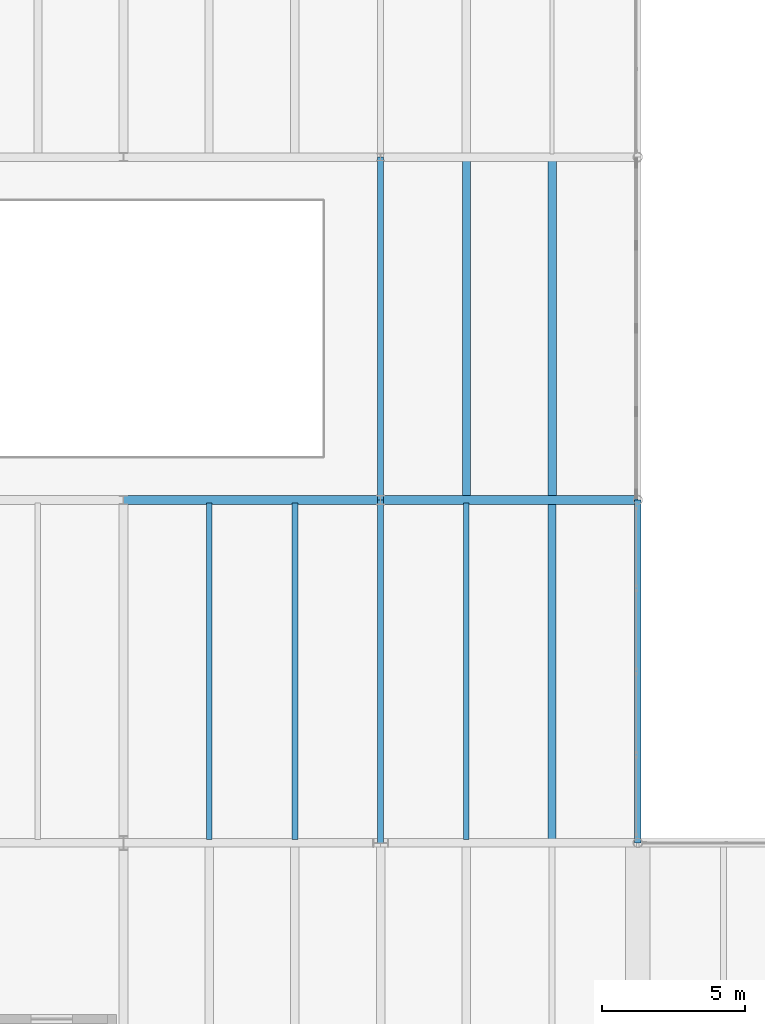
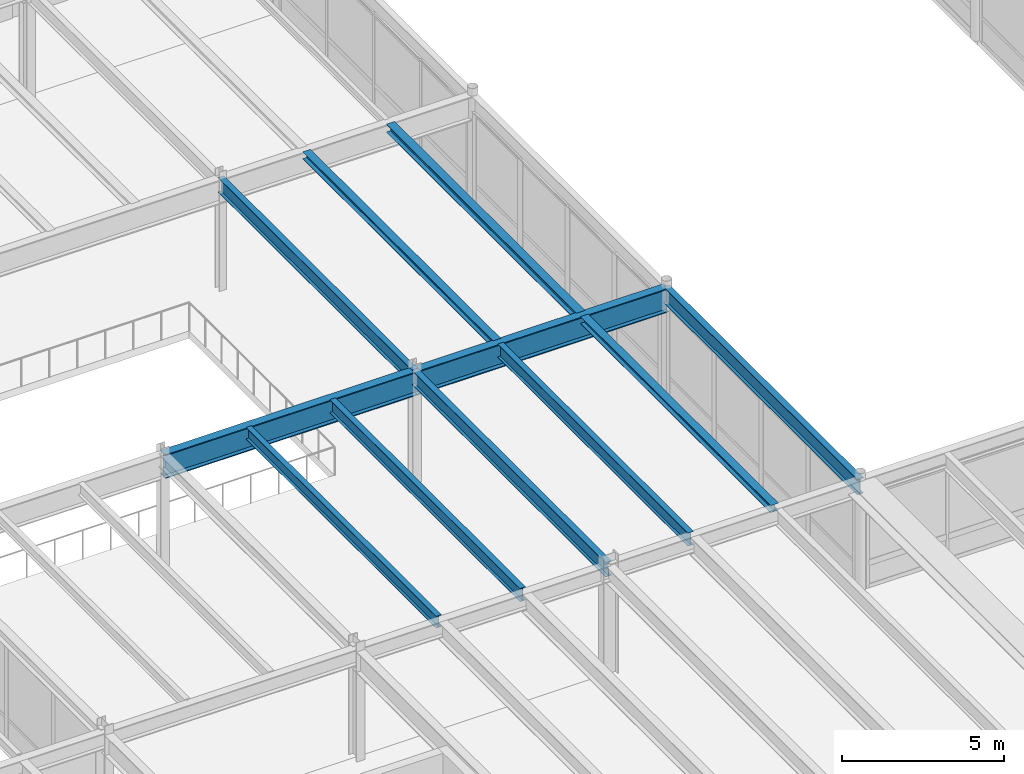
# One storey, part 37 of 127: 11 beams.
"""IFC4 building model written with IfcOpenShell, lengths in metres."""

from ifc_helpers import new_model, si_unit, direction, frame, origin, origin_2d, place, context, subcontext, project, spatial, i_section, extrude, material, material_profile, profile_set, type_object, element, save


model = new_model("IFC4")

# Units and contexts
model_context = context("Model", 3, precision=1e-05, world=origin(), true_north=direction((0.0, 1.0)))
body_context = subcontext(model_context, "Body", "Model", "MODEL_VIEW")
ifc_project = project(units=[si_unit("LENGTHUNIT", "METRE"), si_unit("AREAUNIT", "SQUARE_METRE"), si_unit("VOLUMEUNIT", "CUBIC_METRE"), si_unit("PLANEANGLEUNIT", "RADIAN"), si_unit("MASSUNIT", "GRAM", prefix="KILO")], contexts=[model_context])

# Site, building, storey
site_placement = place(None, origin())
site = spatial("IfcSite", under=ifc_project, at=site_placement, CompositionType="ELEMENT")
building_placement = place(site_placement, origin())
building = spatial("IfcBuilding", under=site, at=building_placement, Name="Montelvaro Courts of Justice", CompositionType="ELEMENT")
storey_placement = place(building_placement, frame((0.0, 0.0, 5.39990234375)))
storey = spatial("IfcBuildingStorey", under=building, at=storey_placement, Name="L01", CompositionType="ELEMENT", Elevation=5.39990234375)

# Beams
ifc_material = material(Name="Steel S355", Category="steel")
ifc_material_profile_1 = material_profile(ifc_material, i_section(OverallWidth=0.280029296875, OverallDepth=0.27001953125, WebThickness=0.008056640625, FlangeThickness=0.012939453125, at=origin_2d()), Name="HEA 280")
ifc_profile_set_1 = profile_set([ifc_material_profile_1], Name="Steel S355")
beam_type_1 = type_object("IfcBeamType", Name="Beam_HEA280", PredefinedType="BEAM", material=ifc_profile_set_1)
for number, where, z_axis, x_axis, name in (
    (1, (78.0, 42.110107421875, 4.085205078125), (0.0, 1.0, 0.0), (-1.0, 0.0, 0.0), "Beam B-14 L01"),
    (2, (75.0, 54.110107421875, 4.085205078125), (0.0, 1.0, 0.0), (-1.0, 0.0, 0.0), "Beam B-14 L01"),
):
    element("IfcBeam", number, at=place(storey_placement, frame(where, z_axis=z_axis, x_axis=x_axis)), inside=storey, type_object=beam_type_1, Name=name, PredefinedType="BEAM", context=body_context, shape_type="SweptSolid", body=[
        extrude(i_section(OverallWidth=0.280029296875, OverallDepth=0.27001953125, WebThickness=0.008056640625, FlangeThickness=0.012939453125, at=origin_2d()), origin(), (0.0, 0.0, 1.0), 11.77978515625),
    ])
ifc_material_profile_2 = material_profile(ifc_material, i_section(OverallWidth=0.300048828125, OverallDepth=0.31005859375, WebThickness=0.009033203125, FlangeThickness=0.015380859375, at=origin_2d()), Name="HEA 320")
ifc_profile_set_2 = profile_set([ifc_material_profile_2], Name="Steel S355")
beam_type_2 = type_object("IfcBeamType", Name="Beam_HEA320", PredefinedType="BEAM", material=ifc_profile_set_2)
beam_1_placement = place(storey_placement, frame((78.0, 54.110107421875, 4.065185546875), z_axis=(0.0, 1.0, 0.0), x_axis=(-1.0, 0.0, 0.0)))
element("IfcBeam", 3, at=beam_1_placement, inside=storey, type_object=beam_type_2, Name="Beam B-15 L01", PredefinedType="BEAM", context=body_context, shape_type="SweptSolid", body=[
    extrude(i_section(OverallWidth=0.300048828125, OverallDepth=0.31005859375, WebThickness=0.009033203125, FlangeThickness=0.015380859375, at=origin_2d()), origin(), (0.0, 0.0, 1.0), 11.77978515625),
])
ifc_material_profile_3 = material_profile(ifc_material, i_section(OverallWidth=0.300048828125, OverallDepth=0.89990234375, WebThickness=0.0185546875, FlangeThickness=0.034912109375, at=origin_2d()), Name="HEB 900")
ifc_profile_set_3 = profile_set([ifc_material_profile_3], Name="Steel S355")
beam_type_3 = type_object("IfcBeamType", Name="Beam_HEB900", PredefinedType="USERDEFINED", material=ifc_profile_set_3)
for number, where, z_axis, x_axis, name in (
    (4, (63.0, 54.0, 3.77001953125), (1.0, 0.0, 0.0), (0.0, 1.0, 0.0), "Beam B-30 L01"),
    (5, (72.0, 54.0, 3.77001953125), (1.0, 0.0, 0.0), (0.0, 1.0, 0.0), "Beam B-30 L01"),
):
    element("IfcBeam", number, at=place(storey_placement, frame(where, z_axis=z_axis, x_axis=x_axis)), inside=storey, type_object=beam_type_3, Name=name, ObjectType="GIRDER", PredefinedType="USERDEFINED", context=body_context, shape_type="SweptSolid", body=[
        extrude(i_section(OverallWidth=0.300048828125, OverallDepth=0.89990234375, WebThickness=0.0185546875, FlangeThickness=0.034912109375, at=origin_2d()), origin(), (0.0, 0.0, 1.0), 9.0),
    ])
ifc_material_profile_4 = material_profile(ifc_material, i_section(OverallWidth=0.18994140625, OverallDepth=0.449951171875, WebThickness=0.009521484375, FlangeThickness=0.0146484375, at=origin_2d()), Name="IPE 450")
ifc_profile_set_4 = profile_set([ifc_material_profile_4], Name="Steel S355")
beam_type_4 = type_object("IfcBeamType", Name="Beam_IPE450", PredefinedType="BEAM", material=ifc_profile_set_4)
beam_2_placement = place(storey_placement, frame((66.0, 42.110107421875, 3.9951171875), z_axis=(0.0, 1.0, 0.0), x_axis=(-1.0, 0.0, 0.0)))
element("IfcBeam", 6, at=beam_2_placement, inside=storey, type_object=beam_type_4, Name="Beam B-09 L01", PredefinedType="BEAM", context=body_context, shape_type="SweptSolid", body=[
    extrude(i_section(OverallWidth=0.18994140625, OverallDepth=0.449951171875, WebThickness=0.009521484375, FlangeThickness=0.0146484375, at=origin_2d()), origin(), (0.0, 0.0, 1.0), 11.77978515625),
])
ifc_material_profile_5 = material_profile(ifc_material, i_section(OverallWidth=0.199951171875, OverallDepth=0.5, WebThickness=0.01025390625, FlangeThickness=0.01611328125, at=origin_2d()), Name="IPE 500")
ifc_profile_set_5 = profile_set([ifc_material_profile_5], Name="Steel S355")
beam_type_5 = type_object("IfcBeamType", Name="Beam_IPE500", PredefinedType="BEAM", material=ifc_profile_set_5)
for number, where, z_axis, x_axis, name in (
    (7, (69.0, 42.110107421875, 3.97021484375), (0.0, 1.0, 0.0), (-1.0, 0.0, 0.0), "Beam B-10 L01"),
    (8, (75.0, 42.110107421875, 3.97021484375), (0.0, 1.0, 0.0), (-1.0, 0.0, 0.0), "Beam B-10 L01"),
):
    element("IfcBeam", number, at=place(storey_placement, frame(where, z_axis=z_axis, x_axis=x_axis)), inside=storey, type_object=beam_type_5, Name=name, PredefinedType="BEAM", context=body_context, shape_type="SweptSolid", body=[
        extrude(i_section(OverallWidth=0.199951171875, OverallDepth=0.5, WebThickness=0.01025390625, FlangeThickness=0.01611328125, at=origin_2d()), origin(), (0.0, 0.0, 1.0), 11.77978515625),
    ])
ifc_material_profile_6 = material_profile(ifc_material, i_section(OverallWidth=0.2099609375, OverallDepth=0.550048828125, WebThickness=0.010986328125, FlangeThickness=0.01708984375, at=origin_2d()), Name="IPE 550")
ifc_profile_set_6 = profile_set([ifc_material_profile_6], Name="Steel S355")
beam_type_6 = type_object("IfcBeamType", Name="Beam_IPE550", PredefinedType="BEAM", material=ifc_profile_set_6)
for number, where, z_axis, x_axis, name in (
    (9, (72.0, 42.0, 3.945068359375), (0.0, 1.0, 0.0), (-1.0, 0.0, 0.0), "Beam B-11 L01"),
    (10, (72.0, 54.0, 3.945068359375), (0.0, 1.0, 0.0), (-1.0, 0.0, 0.0), "Beam B-11 L01"),
):
    element("IfcBeam", number, at=place(storey_placement, frame(where, z_axis=z_axis, x_axis=x_axis)), inside=storey, type_object=beam_type_6, Name=name, PredefinedType="BEAM", context=body_context, shape_type="SweptSolid", body=[
        extrude(i_section(OverallWidth=0.2099609375, OverallDepth=0.550048828125, WebThickness=0.010986328125, FlangeThickness=0.01708984375, at=origin_2d()), origin(), (0.0, 0.0, 1.0), 12.0),
    ])
ifc_material_profile_7 = material_profile(ifc_material, i_section(OverallWidth=0.219970703125, OverallDepth=0.60009765625, WebThickness=0.011962890625, FlangeThickness=0.01904296875, at=origin_2d()), Name="IPE 600")
ifc_profile_set_7 = profile_set([ifc_material_profile_7], Name="Steel S355")
beam_type_7 = type_object("IfcBeamType", Name="Beam_IPE600", PredefinedType="USERDEFINED", material=ifc_profile_set_7)
beam_3_placement = place(storey_placement, frame((81.0, 42.0, 3.920166015625), z_axis=(0.0, 1.0, 0.0), x_axis=(-1.0, 0.0, 0.0)))
element("IfcBeam", 11, at=beam_3_placement, inside=storey, type_object=beam_type_7, Name="Beam B-12 L01", ObjectType="GIRDER", PredefinedType="USERDEFINED", context=body_context, shape_type="SweptSolid", body=[
    extrude(i_section(OverallWidth=0.219970703125, OverallDepth=0.60009765625, WebThickness=0.011962890625, FlangeThickness=0.01904296875, at=origin_2d()), origin(), (0.0, 0.0, 1.0), 12.0),
])

save(model, "model.ifc")
